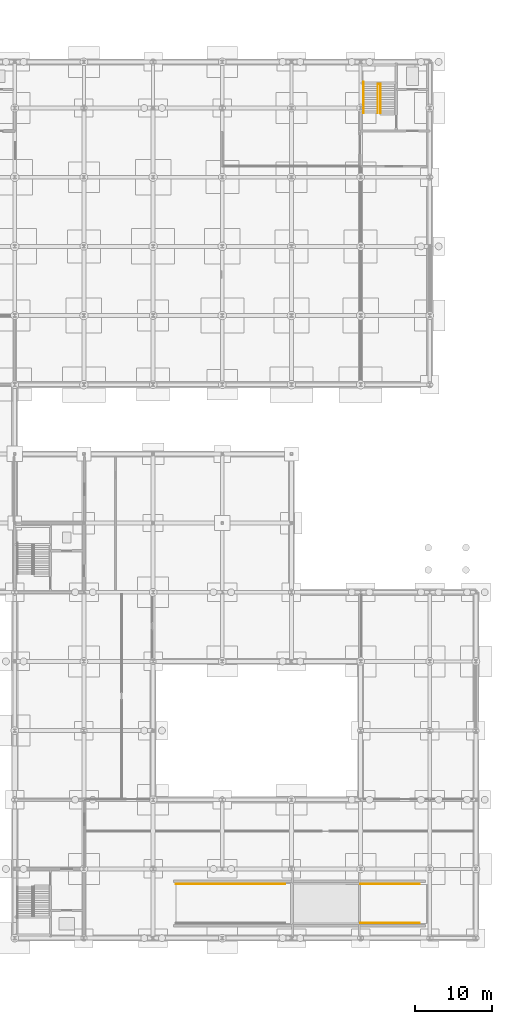
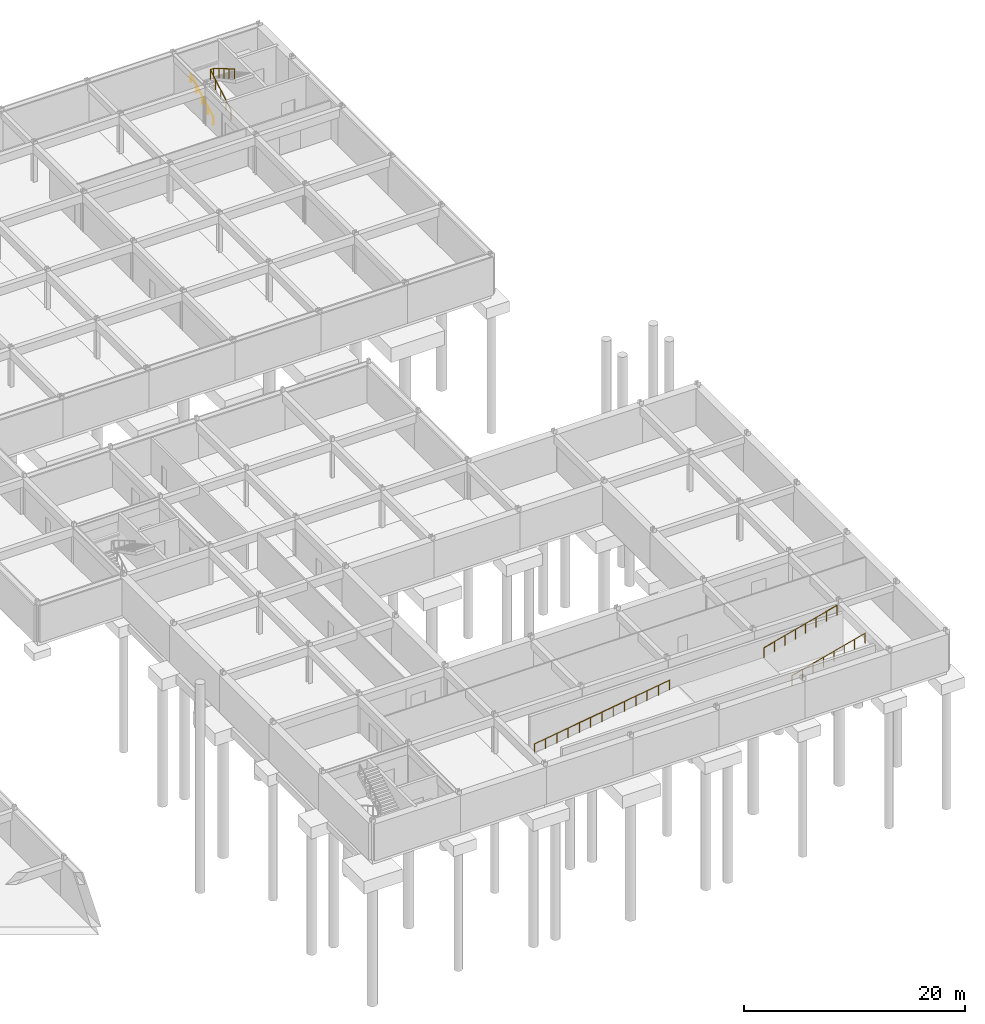
# One storey, part 40 of 41: 5 railings.
"""IFC4 building model written with IfcOpenShell, lengths in metres."""

from ifc_helpers import new_model, si_unit, direction, frame, origin, origin_2d, place, context, subcontext, project, spatial, circle, extrude, material, type_object, element, save


model = new_model("IFC4")

# Units and contexts
model_context = context("Model", 3, precision=1e-05, world=origin(), true_north=direction((0.0, 1.0)))
body_context = subcontext(model_context, "Body", "Model", "MODEL_VIEW")
ifc_project = project(units=[si_unit("LENGTHUNIT", "METRE"), si_unit("AREAUNIT", "SQUARE_METRE"), si_unit("VOLUMEUNIT", "CUBIC_METRE"), si_unit("PLANEANGLEUNIT", "RADIAN"), si_unit("MASSUNIT", "GRAM", prefix="KILO")], contexts=[model_context])

# Site, building, storey
site_placement = place(None, origin())
site = spatial("IfcSite", under=ifc_project, at=site_placement, CompositionType="ELEMENT")
building_placement = place(site_placement, origin())
building = spatial("IfcBuilding", under=site, at=building_placement, Name="Palais des Congres Ocreval", CompositionType="ELEMENT")
storey_placement = place(building_placement, frame((0.0, 0.0, -8.9599609375)))
storey = spatial("IfcBuildingStorey", under=building, at=storey_placement, Name="B2", CompositionType="ELEMENT", Elevation=-8.9599609375)

# Railings
ifc_material_1 = material(Name="Anodized bronze aluminium", Category="aluminium")
railing_type_1 = type_object("IfcRailingType", Name="Bronze Stair and Ramp Handrail 900", PredefinedType="HANDRAIL", material=ifc_material_1)
railing_1_placement = place(storey_placement, frame((153.3798828125, 107.35009765625, 0.159912109375)))
element("IfcRailing", 1, at=railing_1_placement, inside=storey, type_object=railing_type_1, Name="Stair Wall Handrail ST08 B2", PredefinedType="HANDRAIL", context=body_context, shape_type="SweptSolid", body=[
    extrude(circle(Radius=0.02392578125, at=origin_2d()), frame((0.0, 0.0, 0.8759765625), z_axis=(0.0, 0.87556923635, 0.483092654009), x_axis=(-1.0, 0.0, 0.0)), (0.0, 0.0, 1.0), 4.63671875),
    extrude(circle(Radius=0.02099609375, at=origin_2d()), origin(), (0.0, 0.0, 1.0), 0.851806640625),
    extrude(circle(Radius=0.02099609375, at=origin_2d()), frame((0.0, 1.014892578125, 0.56005859375)), (0.0, 0.0, 1.0), 0.851806640625),
    extrude(circle(Radius=0.02099609375, at=origin_2d()), frame((0.0, 2.02978515625, 1.1201171875)), (0.0, 0.0, 1.0), 0.851806640625),
    extrude(circle(Radius=0.02099609375, at=origin_2d()), frame((0.0, 3.044921875, 1.679931640625)), (0.0, 0.0, 1.0), 0.851806640625),
    extrude(circle(Radius=0.02099609375, at=origin_2d()), frame((0.0, 4.059814453125, 2.239990234375)), (0.0, 0.0, 1.0), 0.851806640625),
])
ifc_material_2 = material(Name="Steel S355", Category="steel")
railing_type_2 = type_object("IfcRailingType", Name="Stairwell Steel Guardrail 1100", PredefinedType="GUARDRAIL", material=ifc_material_2)
railing_2_placement = place(storey_placement, frame((155.22998046875, 107.35009765625, 0.0)))
element("IfcRailing", 2, at=railing_2_placement, inside=storey, type_object=railing_type_2, Name="Stair Inner Guardrail ST08 B2", PredefinedType="GUARDRAIL", context=body_context, shape_type="SweptSolid", body=[
    extrude(circle(Radius=0.02392578125, at=origin_2d()), frame((0.0, 0.0, 1.076171875), z_axis=(0.0, 0.859700428432, 0.510798564361), x_axis=(-1.0, 0.0, 0.0)), (0.0, 0.0, 1.0), 4.38525390625),
    extrude(circle(Radius=0.02392578125, at=origin_2d()), frame((0.0, 3.77001953125, 3.31591796875), z_axis=(1.0, 0.0, 0.0), x_axis=(0.0, 1.0, 0.0)), (0.0, 0.0, 1.0), 0.340087890625),
    extrude(circle(Radius=0.02392578125, at=origin_2d()), frame((0.340087890625, 3.77001953125, 3.31591796875), z_axis=(0.0, -0.859700428432, 0.510798564361), x_axis=(1.0, 0.0, 0.0)), (0.0, 0.0, 1.0), 4.38525390625),
    extrude(circle(Radius=0.02099609375, at=origin_2d()), origin(), (0.0, 0.0, 1.0), 1.052001953125),
    extrude(circle(Radius=0.02099609375, at=origin_2d()), frame((0.0, 0.9423828125, 0.56005859375)), (0.0, 0.0, 1.0), 1.052001953125),
    extrude(circle(Radius=0.02099609375, at=origin_2d()), frame((0.0, 1.885009765625, 1.1201171875)), (0.0, 0.0, 1.0), 1.052001953125),
    extrude(circle(Radius=0.02099609375, at=origin_2d()), frame((0.0, 2.82763671875, 1.679931640625)), (0.0, 0.0, 1.0), 1.052001953125),
    extrude(circle(Radius=0.02099609375, at=origin_2d()), frame((0.0, 3.77001953125, 2.239990234375)), (0.0, 0.0, 1.0), 1.052001953125),
    extrude(circle(Radius=0.02099609375, at=origin_2d()), frame((0.340087890625, 3.77001953125, 2.239990234375)), (0.0, 0.0, 1.0), 1.052001953125),
    extrude(circle(Radius=0.02099609375, at=origin_2d()), frame((0.340087890625, 2.82763671875, 2.800048828125)), (0.0, 0.0, 1.0), 1.052001953125),
    extrude(circle(Radius=0.02099609375, at=origin_2d()), frame((0.340087890625, 1.885009765625, 3.35986328125)), (0.0, 0.0, 1.0), 1.052001953125),
    extrude(circle(Radius=0.02099609375, at=origin_2d()), frame((0.340087890625, 0.9423828125, 3.919921875)), (0.0, 0.0, 1.0), 1.052001953125),
    extrude(circle(Radius=0.02099609375, at=origin_2d()), frame((0.340087890625, 0.0, 4.47998046875)), (0.0, 0.0, 1.0), 1.052001953125),
])
railing_3_placement = place(storey_placement, frame((129.0, 7.0400390625, 0.0)))
element("IfcRailing", 3, at=railing_3_placement, inside=storey, type_object=railing_type_2, Name="Lower basement vehicle ramp R2 Guardrail 1R", PredefinedType="GUARDRAIL", context=body_context, shape_type="SweptSolid", body=[
    extrude(circle(Radius=0.02392578125, at=origin_2d()), frame((0.0, 0.0, 1.076171875), z_axis=(0.989033022447, 0.0, 0.147694551387), x_axis=(0.0, 1.0, 0.0)), (0.0, 0.0, 1.0), 14.306884765625),
    extrude(circle(Radius=0.02099609375, at=origin_2d()), origin(), (0.0, 0.0, 1.0), 1.052001953125),
    extrude(circle(Radius=0.02099609375, at=origin_2d()), frame((1.17919921875, 0.0, 0.176025390625)), (0.0, 0.0, 1.0), 1.052001953125),
    extrude(circle(Radius=0.02099609375, at=origin_2d()), frame((2.3583984375, 0.0, 0.35205078125)), (0.0, 0.0, 1.0), 1.052001953125),
    extrude(circle(Radius=0.02099609375, at=origin_2d()), frame((3.53759765625, 0.0, 0.5283203125)), (0.0, 0.0, 1.0), 1.052001953125),
    extrude(circle(Radius=0.02099609375, at=origin_2d()), frame((4.716552734375, 0.0, 0.704345703125)), (0.0, 0.0, 1.0), 1.052001953125),
    extrude(circle(Radius=0.02099609375, at=origin_2d()), frame((5.895751953125, 0.0, 0.88037109375)), (0.0, 0.0, 1.0), 1.052001953125),
    extrude(circle(Radius=0.02099609375, at=origin_2d()), frame((7.074951171875, 0.0, 1.056640625)), (0.0, 0.0, 1.0), 1.052001953125),
    extrude(circle(Radius=0.02099609375, at=origin_2d()), frame((8.254150390625, 0.0, 1.232666015625)), (0.0, 0.0, 1.0), 1.052001953125),
    extrude(circle(Radius=0.02099609375, at=origin_2d()), frame((9.433349609375, 0.0, 1.40869140625)), (0.0, 0.0, 1.0), 1.052001953125),
    extrude(circle(Radius=0.02099609375, at=origin_2d()), frame((10.6123046875, 0.0, 1.584716796875)), (0.0, 0.0, 1.0), 1.052001953125),
    extrude(circle(Radius=0.02099609375, at=origin_2d()), frame((11.79150390625, 0.0, 1.7607421875)), (0.0, 0.0, 1.0), 1.052001953125),
    extrude(circle(Radius=0.02099609375, at=origin_2d()), frame((12.970703125, 0.0, 1.93701171875)), (0.0, 0.0, 1.0), 1.052001953125),
    extrude(circle(Radius=0.02099609375, at=origin_2d()), frame((14.14990234375, 0.0, 2.113037109375)), (0.0, 0.0, 1.0), 1.052001953125),
])
for number, where, name in (
    (4, (153.0, 1.9599609375, 2.239990234375), "Lower basement vehicle ramp R2 Guardrail 2L"),
    (5, (153.0, 7.0400390625, 2.239990234375), "Lower basement vehicle ramp R2 Guardrail 2R"),
):
    element("IfcRailing", number, at=place(storey_placement, frame(where)), inside=storey, type_object=railing_type_2, Name=name, PredefinedType="GUARDRAIL", context=body_context, shape_type="SweptSolid", body=[
        extrude(circle(Radius=0.02392578125, at=origin_2d()), frame((0.0, 0.0, 1.076171875), z_axis=(0.966989336371, 0.0, 0.25481684274), x_axis=(0.0, 1.0, 0.0)), (0.0, 0.0, 1.0), 7.9111328125),
        extrude(circle(Radius=0.02099609375, at=origin_2d()), origin(), (0.0, 0.0, 1.0), 1.052001953125),
        extrude(circle(Radius=0.02099609375, at=origin_2d()), frame((1.0927734375, 0.0, 0.2880859375)), (0.0, 0.0, 1.0), 1.052001953125),
        extrude(circle(Radius=0.02099609375, at=origin_2d()), frame((2.185791015625, 0.0, 0.575927734375)), (0.0, 0.0, 1.0), 1.052001953125),
        extrude(circle(Radius=0.02099609375, at=origin_2d()), frame((3.278564453125, 0.0, 0.864013671875)), (0.0, 0.0, 1.0), 1.052001953125),
        extrude(circle(Radius=0.02099609375, at=origin_2d()), frame((4.371337890625, 0.0, 1.15185546875)), (0.0, 0.0, 1.0), 1.052001953125),
        extrude(circle(Radius=0.02099609375, at=origin_2d()), frame((5.464111328125, 0.0, 1.43994140625)), (0.0, 0.0, 1.0), 1.052001953125),
        extrude(circle(Radius=0.02099609375, at=origin_2d()), frame((6.55712890625, 0.0, 1.727783203125)), (0.0, 0.0, 1.0), 1.052001953125),
        extrude(circle(Radius=0.02099609375, at=origin_2d()), frame((7.64990234375, 0.0, 2.015869140625)), (0.0, 0.0, 1.0), 1.052001953125),
    ])

save(model, "model.ifc")
